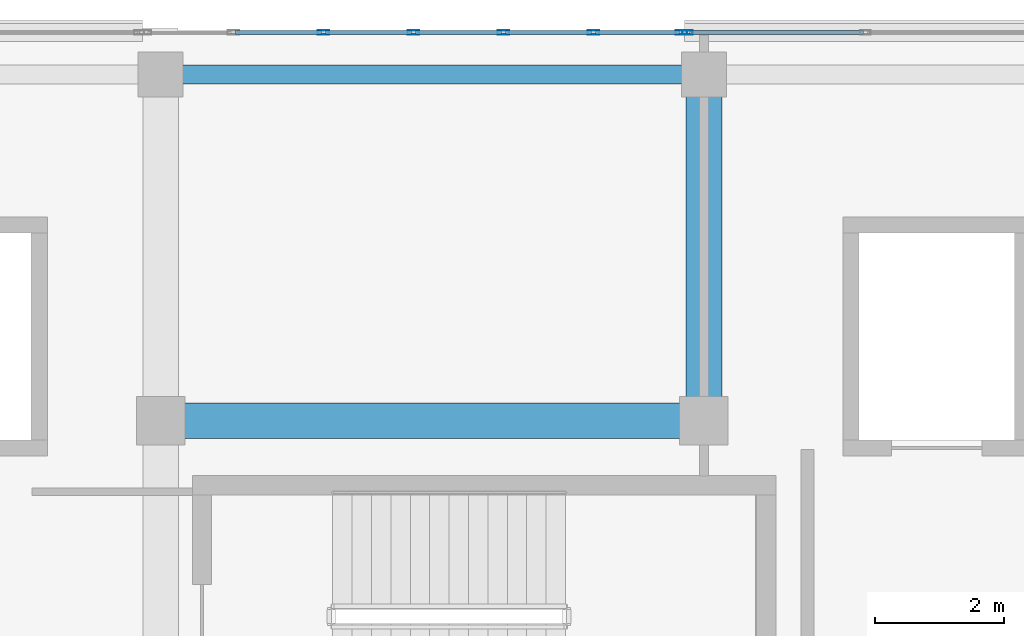
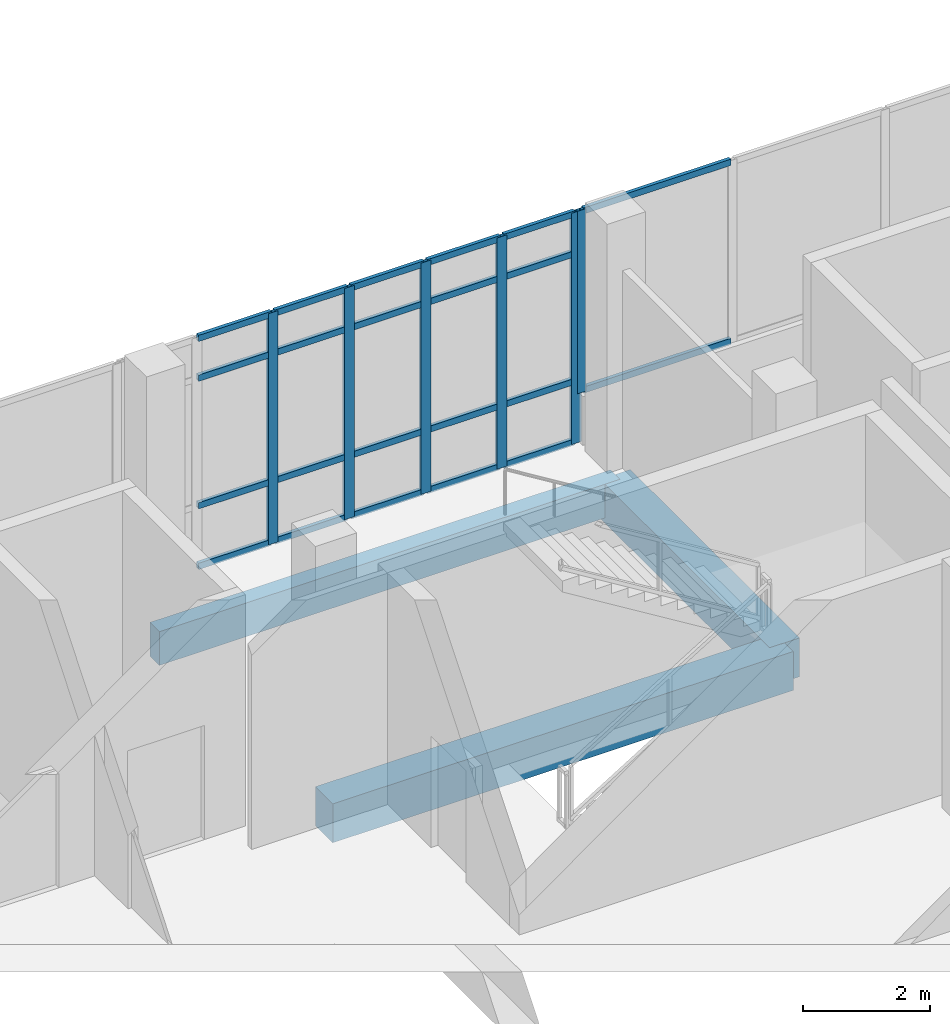
# One storey, part 92 of 155: 28 members, 3 beams, 2 elements without a shape of their own.
"""IFC4 building model written with IfcOpenShell, lengths in metres."""

from ifc_helpers import new_model, si_unit, direction, frame, origin, origin_2d, place, context, subcontext, project, spatial, rectangle, hollow_rectangle, extrude, material, material_profile, profile_set, type_object, element, aggregate, save


model = new_model("IFC4")

# Units and contexts
model_context = context("Model", 3, precision=1e-05, world=origin(), true_north=direction((0.0, 1.0)))
body_context = subcontext(model_context, "Body", "Model", "MODEL_VIEW")
ifc_project = project(units=[si_unit("LENGTHUNIT", "METRE"), si_unit("AREAUNIT", "SQUARE_METRE"), si_unit("VOLUMEUNIT", "CUBIC_METRE"), si_unit("PLANEANGLEUNIT", "RADIAN"), si_unit("MASSUNIT", "GRAM", prefix="KILO")], contexts=[model_context])

# Site, building, storey
site_placement = place(None, origin())
site = spatial("IfcSite", under=ifc_project, at=site_placement, CompositionType="ELEMENT")
building_placement = place(site_placement, origin())
building = spatial("IfcBuilding", under=site, at=building_placement, Name="Selatvlak General Hospital", CompositionType="ELEMENT")
storey_placement = place(building_placement, frame((0.0, 0.0, 10.199951171875)))
storey = spatial("IfcBuildingStorey", under=building, at=storey_placement, Name="L02", CompositionType="ELEMENT", Elevation=10.199951171875)

# Beams
ifc_material_1 = material(Name="Concrete C40/50", Category="concrete")
ifc_material_profile_1 = material_profile(ifc_material_1, rectangle(XDim=0.550048828125, YDim=0.75, at=origin_2d()), Name="RC-BM 550x750")
ifc_profile_set_1 = profile_set([ifc_material_profile_1], Name="Concrete C40/50")
beam_type_1 = type_object("IfcBeamType", Name="BM-G02", PredefinedType="BEAM", material=ifc_profile_set_1)
beam_1_placement = place(storey_placement, frame((132.0, 114.0, -0.72998046875), z_axis=(1.0, 0.0, 0.0), x_axis=(0.0, 1.0, 0.0)))
element("IfcBeam", 1, at=beam_1_placement, inside=storey, type_object=beam_type_1, Name="Beam BMR-L02-0903", PredefinedType="BEAM", context=body_context, shape_type="SweptSolid", body=[
    extrude(rectangle(XDim=0.550048828125, YDim=0.75, at=origin_2d()), origin(), (0.0, 0.0, 1.0), 8.39990234375),
])
beam_2_placement = place(storey_placement, frame((140.39990234375, 114.0, -0.72998046875), z_axis=(0.0, 1.0, 0.0), x_axis=(-1.0, 0.0, 0.0)))
element("IfcBeam", 2, at=beam_2_placement, inside=storey, type_object=beam_type_1, Name="Beam BMR-L02-1035", PredefinedType="BEAM", context=body_context, shape_type="SweptSolid", body=[
    extrude(rectangle(XDim=0.550048828125, YDim=0.75, at=origin_2d()), origin(), (0.0, 0.0, 1.0), 5.35009765625),
])
ifc_material_profile_2 = material_profile(ifc_material_1, rectangle(XDim=0.300048828125, YDim=0.64990234375, at=origin_2d()), Name="RC-SP 300x650")
ifc_profile_set_2 = profile_set([ifc_material_profile_2], Name="Concrete C40/50")
beam_type_2 = type_object("IfcBeamType", Name="BM-SP1", PredefinedType="SPANDREL", material=ifc_profile_set_2)
beam_3_placement = place(storey_placement, frame((132.0, 119.35009765625, -0.679931640625), z_axis=(1.0, 0.0, 0.0), x_axis=(0.0, 1.0, 0.0)))
element("IfcBeam", 3, at=beam_3_placement, inside=storey, type_object=beam_type_2, Name="Beam BMR-L02-0918", PredefinedType="SPANDREL", context=body_context, shape_type="SweptSolid", body=[
    extrude(rectangle(XDim=0.300048828125, YDim=0.64990234375, at=origin_2d()), origin(), (0.0, 0.0, 1.0), 8.39990234375),
])

# Curtain wall, member
ifc_material_2 = material(Name="Solar-control Low-E double glazing", Category="glass")
curtain_wall_type_1 = type_object("IfcCurtainWallType", Name="CW-CW-01", PredefinedType="USERDEFINED", material=ifc_material_2)
curtain_wall_1_placement = place(storey_placement, origin())
curtain_wall_1 = element("IfcCurtainWall", 4, at=curtain_wall_1_placement, inside=storey, type_object=curtain_wall_type_1, Name="Glazed facade curtain wall CW-L02-0258", ObjectType="UNITISED CURTAIN WALL", PredefinedType="USERDEFINED")
ifc_material_3 = material(Name="Dark anodised aluminium mullion", Category="aluminium")
ifc_material_profile_3 = material_profile(ifc_material_3, hollow_rectangle(XDim=0.06494140625, YDim=0.159912109375, WallThickness=0.00390625, at=origin_2d()), Name="AL-MUL 65x160x4")
ifc_profile_set_3 = profile_set([ifc_material_profile_3], Name="Dark anodised aluminium mullion")
member_type_1 = type_object("IfcMemberType", Name="CWM-01", PredefinedType="MULLION", material=ifc_profile_set_3)
member_1_placement = place(storey_placement, frame((140.146484375, 120.0, 0.93994140625), z_axis=(0.0, 0.0, 1.0), x_axis=(0.0, 1.0, 0.0)))
member_1 = element("IfcMember", 5, at=member_1_placement, type_object=member_type_1, Name="CW-01 mullion 1", PredefinedType="MULLION", context=body_context, shape_type="SweptSolid", body=[
    extrude(hollow_rectangle(XDim=0.06494140625, YDim=0.159912109375, WallThickness=0.00390625, at=origin_2d()), origin(), (0.0, 0.0, 1.0), 3.52001953125),
])

# Curtain wall, members
curtain_wall_type_2 = type_object("IfcCurtainWallType", Name="CW-CW-04", PredefinedType="USERDEFINED", material=ifc_material_2)
curtain_wall_2_placement = place(storey_placement, origin())
curtain_wall_2 = element("IfcCurtainWall", 6, at=curtain_wall_2_placement, inside=storey, type_object=curtain_wall_type_2, Name="Glazed facade curtain wall CW-L02-0257", ObjectType="STICK GLAZING WALL", PredefinedType="USERDEFINED")
ifc_material_profile_4 = material_profile(ifc_material_3, hollow_rectangle(XDim=0.06494140625, YDim=0.179931640625, WallThickness=0.00439453125, at=origin_2d()), Name="AL-MUL 65x180x4.5")
ifc_profile_set_4 = profile_set([ifc_material_profile_4], Name="Dark anodised aluminium mullion")
member_type_2 = type_object("IfcMemberType", Name="CWM-02", PredefinedType="MULLION", material=ifc_profile_set_4)
member_2_placement = place(storey_placement, frame((134.517333984375, 120.0, 0.0), z_axis=(0.0, 0.0, 1.0), x_axis=(0.0, 1.0, 0.0)))
member_2 = element("IfcMember", 7, at=member_2_placement, type_object=member_type_2, Name="CW-04 mullion 3", PredefinedType="MULLION", context=body_context, shape_type="SweptSolid", body=[
    extrude(hollow_rectangle(XDim=0.06494140625, YDim=0.179931640625, WallThickness=0.00439453125, at=origin_2d()), origin(), (0.0, 0.0, 1.0), 4.4599609375),
])
member_3_placement = place(storey_placement, frame((135.908935546875, 120.0, 0.0), z_axis=(0.0, 0.0, 1.0), x_axis=(0.0, 1.0, 0.0)))
member_3 = element("IfcMember", 8, at=member_3_placement, type_object=member_type_2, Name="CW-04 mullion 4", PredefinedType="MULLION", context=body_context, shape_type="SweptSolid", body=[
    extrude(hollow_rectangle(XDim=0.06494140625, YDim=0.179931640625, WallThickness=0.00439453125, at=origin_2d()), origin(), (0.0, 0.0, 1.0), 4.4599609375),
])
member_4_placement = place(storey_placement, frame((137.30078125, 120.0, 0.0), z_axis=(0.0, 0.0, 1.0), x_axis=(0.0, 1.0, 0.0)))
member_4 = element("IfcMember", 9, at=member_4_placement, type_object=member_type_2, Name="CW-04 mullion 5", PredefinedType="MULLION", context=body_context, shape_type="SweptSolid", body=[
    extrude(hollow_rectangle(XDim=0.06494140625, YDim=0.179931640625, WallThickness=0.00439453125, at=origin_2d()), origin(), (0.0, 0.0, 1.0), 4.4599609375),
])
member_5_placement = place(storey_placement, frame((138.6923828125, 120.0, 0.0), z_axis=(0.0, 0.0, 1.0), x_axis=(0.0, 1.0, 0.0)))
member_5 = element("IfcMember", 10, at=member_5_placement, type_object=member_type_2, Name="CW-04 mullion 6", PredefinedType="MULLION", context=body_context, shape_type="SweptSolid", body=[
    extrude(hollow_rectangle(XDim=0.06494140625, YDim=0.179931640625, WallThickness=0.00439453125, at=origin_2d()), origin(), (0.0, 0.0, 1.0), 4.4599609375),
])
member_6_placement = place(storey_placement, frame((140.051513671875, 120.0, 0.0), z_axis=(0.0, 0.0, 1.0), x_axis=(0.0, 1.0, 0.0)))
member_6 = element("IfcMember", 11, at=member_6_placement, type_object=member_type_2, Name="CW-04 mullion 7", PredefinedType="MULLION", context=body_context, shape_type="SweptSolid", body=[
    extrude(hollow_rectangle(XDim=0.06494140625, YDim=0.179931640625, WallThickness=0.00439453125, at=origin_2d()), origin(), (0.0, 0.0, 1.0), 4.4599609375),
])
ifc_material_profile_5 = material_profile(ifc_material_3, hollow_rectangle(XDim=0.06494140625, YDim=0.1201171875, WallThickness=0.00390625, at=origin_2d()), Name="AL-TRN 65x120x4")
ifc_profile_set_5 = profile_set([ifc_material_profile_5], Name="Dark anodised aluminium mullion")
member_type_3 = type_object("IfcMemberType", Name="CWT-01", PredefinedType="USERDEFINED", material=ifc_profile_set_5)
member_7_placement = place(storey_placement, frame((133.158203125, 120.0, 0.032470703125), z_axis=(1.0, 0.0, 0.0), x_axis=(0.0, 1.0, 0.0)))
member_7 = element("IfcMember", 12, at=member_7_placement, type_object=member_type_3, Name="CW-04 transom 2.1", ObjectType="TRANSOM", PredefinedType="USERDEFINED", context=body_context, shape_type="SweptSolid", body=[
    extrude(hollow_rectangle(XDim=0.06494140625, YDim=0.1201171875, WallThickness=0.00390625, at=origin_2d()), origin(), (0.0, 0.0, 1.0), 1.32666015625),
])
member_8_placement = place(storey_placement, frame((133.158203125, 120.0, 1.199951171875), z_axis=(1.0, 0.0, 0.0), x_axis=(0.0, 1.0, 0.0)))
member_8 = element("IfcMember", 13, at=member_8_placement, type_object=member_type_3, Name="CW-04 transom 2.2", ObjectType="TRANSOM", PredefinedType="USERDEFINED", context=body_context, shape_type="SweptSolid", body=[
    extrude(hollow_rectangle(XDim=0.06494140625, YDim=0.1201171875, WallThickness=0.00390625, at=origin_2d()), origin(), (0.0, 0.0, 1.0), 1.32666015625),
])
member_9_placement = place(storey_placement, frame((133.158203125, 120.0, 3.66015625), z_axis=(1.0, 0.0, 0.0), x_axis=(0.0, 1.0, 0.0)))
member_9 = element("IfcMember", 14, at=member_9_placement, type_object=member_type_3, Name="CW-04 transom 2.3", ObjectType="TRANSOM", PredefinedType="USERDEFINED", context=body_context, shape_type="SweptSolid", body=[
    extrude(hollow_rectangle(XDim=0.06494140625, YDim=0.1201171875, WallThickness=0.00390625, at=origin_2d()), origin(), (0.0, 0.0, 1.0), 1.32666015625),
])
member_10_placement = place(storey_placement, frame((133.158203125, 120.0, 4.427490234375), z_axis=(1.0, 0.0, 0.0), x_axis=(0.0, 1.0, 0.0)))
member_10 = element("IfcMember", 15, at=member_10_placement, type_object=member_type_3, Name="CW-04 transom 2.4", ObjectType="TRANSOM", PredefinedType="USERDEFINED", context=body_context, shape_type="SweptSolid", body=[
    extrude(hollow_rectangle(XDim=0.06494140625, YDim=0.1201171875, WallThickness=0.00390625, at=origin_2d()), origin(), (0.0, 0.0, 1.0), 1.32666015625),
])
member_11_placement = place(storey_placement, frame((134.5498046875, 120.0, 0.032470703125), z_axis=(1.0, 0.0, 0.0), x_axis=(0.0, 1.0, 0.0)))
member_11 = element("IfcMember", 16, at=member_11_placement, type_object=member_type_3, Name="CW-04 transom 3.1", ObjectType="TRANSOM", PredefinedType="USERDEFINED", context=body_context, shape_type="SweptSolid", body=[
    extrude(hollow_rectangle(XDim=0.06494140625, YDim=0.1201171875, WallThickness=0.00390625, at=origin_2d()), origin(), (0.0, 0.0, 1.0), 1.32666015625),
])
member_12_placement = place(storey_placement, frame((134.5498046875, 120.0, 1.199951171875), z_axis=(1.0, 0.0, 0.0), x_axis=(0.0, 1.0, 0.0)))
member_12 = element("IfcMember", 17, at=member_12_placement, type_object=member_type_3, Name="CW-04 transom 3.2", ObjectType="TRANSOM", PredefinedType="USERDEFINED", context=body_context, shape_type="SweptSolid", body=[
    extrude(hollow_rectangle(XDim=0.06494140625, YDim=0.1201171875, WallThickness=0.00390625, at=origin_2d()), origin(), (0.0, 0.0, 1.0), 1.32666015625),
])
member_13_placement = place(storey_placement, frame((134.5498046875, 120.0, 3.66015625), z_axis=(1.0, 0.0, 0.0), x_axis=(0.0, 1.0, 0.0)))
member_13 = element("IfcMember", 18, at=member_13_placement, type_object=member_type_3, Name="CW-04 transom 3.3", ObjectType="TRANSOM", PredefinedType="USERDEFINED", context=body_context, shape_type="SweptSolid", body=[
    extrude(hollow_rectangle(XDim=0.06494140625, YDim=0.1201171875, WallThickness=0.00390625, at=origin_2d()), origin(), (0.0, 0.0, 1.0), 1.32666015625),
])
member_14_placement = place(storey_placement, frame((134.5498046875, 120.0, 4.427490234375), z_axis=(1.0, 0.0, 0.0), x_axis=(0.0, 1.0, 0.0)))
member_14 = element("IfcMember", 19, at=member_14_placement, type_object=member_type_3, Name="CW-04 transom 3.4", ObjectType="TRANSOM", PredefinedType="USERDEFINED", context=body_context, shape_type="SweptSolid", body=[
    extrude(hollow_rectangle(XDim=0.06494140625, YDim=0.1201171875, WallThickness=0.00390625, at=origin_2d()), origin(), (0.0, 0.0, 1.0), 1.32666015625),
])
member_15_placement = place(storey_placement, frame((135.94140625, 120.0, 0.032470703125), z_axis=(1.0, 0.0, 0.0), x_axis=(0.0, 1.0, 0.0)))
member_15 = element("IfcMember", 20, at=member_15_placement, type_object=member_type_3, Name="CW-04 transom 4.1", ObjectType="TRANSOM", PredefinedType="USERDEFINED", context=body_context, shape_type="SweptSolid", body=[
    extrude(hollow_rectangle(XDim=0.06494140625, YDim=0.1201171875, WallThickness=0.00390625, at=origin_2d()), origin(), (0.0, 0.0, 1.0), 1.32666015625),
])
member_16_placement = place(storey_placement, frame((135.94140625, 120.0, 1.199951171875), z_axis=(1.0, 0.0, 0.0), x_axis=(0.0, 1.0, 0.0)))
member_16 = element("IfcMember", 21, at=member_16_placement, type_object=member_type_3, Name="CW-04 transom 4.2", ObjectType="TRANSOM", PredefinedType="USERDEFINED", context=body_context, shape_type="SweptSolid", body=[
    extrude(hollow_rectangle(XDim=0.06494140625, YDim=0.1201171875, WallThickness=0.00390625, at=origin_2d()), origin(), (0.0, 0.0, 1.0), 1.32666015625),
])
member_17_placement = place(storey_placement, frame((135.94140625, 120.0, 3.66015625), z_axis=(1.0, 0.0, 0.0), x_axis=(0.0, 1.0, 0.0)))
member_17 = element("IfcMember", 22, at=member_17_placement, type_object=member_type_3, Name="CW-04 transom 4.3", ObjectType="TRANSOM", PredefinedType="USERDEFINED", context=body_context, shape_type="SweptSolid", body=[
    extrude(hollow_rectangle(XDim=0.06494140625, YDim=0.1201171875, WallThickness=0.00390625, at=origin_2d()), origin(), (0.0, 0.0, 1.0), 1.32666015625),
])
member_18_placement = place(storey_placement, frame((135.94140625, 120.0, 4.427490234375), z_axis=(1.0, 0.0, 0.0), x_axis=(0.0, 1.0, 0.0)))
member_18 = element("IfcMember", 23, at=member_18_placement, type_object=member_type_3, Name="CW-04 transom 4.4", ObjectType="TRANSOM", PredefinedType="USERDEFINED", context=body_context, shape_type="SweptSolid", body=[
    extrude(hollow_rectangle(XDim=0.06494140625, YDim=0.1201171875, WallThickness=0.00390625, at=origin_2d()), origin(), (0.0, 0.0, 1.0), 1.32666015625),
])
member_19_placement = place(storey_placement, frame((137.333251953125, 120.0, 0.032470703125), z_axis=(1.0, 0.0, 0.0), x_axis=(0.0, 1.0, 0.0)))
member_19 = element("IfcMember", 24, at=member_19_placement, type_object=member_type_3, Name="CW-04 transom 5.1", ObjectType="TRANSOM", PredefinedType="USERDEFINED", context=body_context, shape_type="SweptSolid", body=[
    extrude(hollow_rectangle(XDim=0.06494140625, YDim=0.1201171875, WallThickness=0.00390625, at=origin_2d()), origin(), (0.0, 0.0, 1.0), 1.32666015625),
])
member_20_placement = place(storey_placement, frame((137.333251953125, 120.0, 1.199951171875), z_axis=(1.0, 0.0, 0.0), x_axis=(0.0, 1.0, 0.0)))
member_20 = element("IfcMember", 25, at=member_20_placement, type_object=member_type_3, Name="CW-04 transom 5.2", ObjectType="TRANSOM", PredefinedType="USERDEFINED", context=body_context, shape_type="SweptSolid", body=[
    extrude(hollow_rectangle(XDim=0.06494140625, YDim=0.1201171875, WallThickness=0.00390625, at=origin_2d()), origin(), (0.0, 0.0, 1.0), 1.32666015625),
])
member_21_placement = place(storey_placement, frame((137.333251953125, 120.0, 3.66015625), z_axis=(1.0, 0.0, 0.0), x_axis=(0.0, 1.0, 0.0)))
member_21 = element("IfcMember", 26, at=member_21_placement, type_object=member_type_3, Name="CW-04 transom 5.3", ObjectType="TRANSOM", PredefinedType="USERDEFINED", context=body_context, shape_type="SweptSolid", body=[
    extrude(hollow_rectangle(XDim=0.06494140625, YDim=0.1201171875, WallThickness=0.00390625, at=origin_2d()), origin(), (0.0, 0.0, 1.0), 1.32666015625),
])
member_22_placement = place(storey_placement, frame((137.333251953125, 120.0, 4.427490234375), z_axis=(1.0, 0.0, 0.0), x_axis=(0.0, 1.0, 0.0)))
member_22 = element("IfcMember", 27, at=member_22_placement, type_object=member_type_3, Name="CW-04 transom 5.4", ObjectType="TRANSOM", PredefinedType="USERDEFINED", context=body_context, shape_type="SweptSolid", body=[
    extrude(hollow_rectangle(XDim=0.06494140625, YDim=0.1201171875, WallThickness=0.00390625, at=origin_2d()), origin(), (0.0, 0.0, 1.0), 1.32666015625),
])
member_23_placement = place(storey_placement, frame((138.724853515625, 120.0, 0.032470703125), z_axis=(1.0, 0.0, 0.0), x_axis=(0.0, 1.0, 0.0)))
member_23 = element("IfcMember", 28, at=member_23_placement, type_object=member_type_3, Name="CW-04 transom 6.1", ObjectType="TRANSOM", PredefinedType="USERDEFINED", context=body_context, shape_type="SweptSolid", body=[
    extrude(hollow_rectangle(XDim=0.06494140625, YDim=0.1201171875, WallThickness=0.00390625, at=origin_2d()), origin(), (0.0, 0.0, 1.0), 1.294189453125),
])
member_24_placement = place(storey_placement, frame((138.724853515625, 120.0, 1.199951171875), z_axis=(1.0, 0.0, 0.0), x_axis=(0.0, 1.0, 0.0)))
member_24 = element("IfcMember", 29, at=member_24_placement, type_object=member_type_3, Name="CW-04 transom 6.2", ObjectType="TRANSOM", PredefinedType="USERDEFINED", context=body_context, shape_type="SweptSolid", body=[
    extrude(hollow_rectangle(XDim=0.06494140625, YDim=0.1201171875, WallThickness=0.00390625, at=origin_2d()), origin(), (0.0, 0.0, 1.0), 1.294189453125),
])
member_25_placement = place(storey_placement, frame((138.724853515625, 120.0, 3.66015625), z_axis=(1.0, 0.0, 0.0), x_axis=(0.0, 1.0, 0.0)))
member_25 = element("IfcMember", 30, at=member_25_placement, type_object=member_type_3, Name="CW-04 transom 6.3", ObjectType="TRANSOM", PredefinedType="USERDEFINED", context=body_context, shape_type="SweptSolid", body=[
    extrude(hollow_rectangle(XDim=0.06494140625, YDim=0.1201171875, WallThickness=0.00390625, at=origin_2d()), origin(), (0.0, 0.0, 1.0), 1.294189453125),
])
member_26_placement = place(storey_placement, frame((138.724853515625, 120.0, 4.427490234375), z_axis=(1.0, 0.0, 0.0), x_axis=(0.0, 1.0, 0.0)))
member_26 = element("IfcMember", 31, at=member_26_placement, type_object=member_type_3, Name="CW-04 transom 6.4", ObjectType="TRANSOM", PredefinedType="USERDEFINED", context=body_context, shape_type="SweptSolid", body=[
    extrude(hollow_rectangle(XDim=0.06494140625, YDim=0.1201171875, WallThickness=0.00390625, at=origin_2d()), origin(), (0.0, 0.0, 1.0), 1.294189453125),
])
aggregate(curtain_wall_2, [member_2, member_3, member_4, member_5, member_6, member_7, member_8, member_9, member_10, member_11, member_12, member_13, member_14, member_15, member_16, member_17, member_18, member_19, member_20, member_21, member_22, member_23, member_24, member_25, member_26])

# Member
member_27_placement = place(storey_placement, frame((140.178955078125, 120.0, 0.97265625), z_axis=(1.0, 0.0, 0.0), x_axis=(0.0, 1.0, 0.0)))
member_27 = element("IfcMember", 32, at=member_27_placement, type_object=member_type_3, Name="CW-01 transom 1.1", ObjectType="TRANSOM", PredefinedType="USERDEFINED", context=body_context, shape_type="SweptSolid", body=[
    extrude(hollow_rectangle(XDim=0.06494140625, YDim=0.1201171875, WallThickness=0.00390625, at=origin_2d()), origin(), (0.0, 0.0, 1.0), 2.685791015625),
])

member_28_placement = place(storey_placement, frame((140.178955078125, 120.0, 4.427490234375), z_axis=(1.0, 0.0, 0.0), x_axis=(0.0, 1.0, 0.0)))
member_28 = element("IfcMember", 33, at=member_28_placement, type_object=member_type_3, Name="CW-01 transom 1.2", ObjectType="TRANSOM", PredefinedType="USERDEFINED", context=body_context, shape_type="SweptSolid", body=[
    extrude(hollow_rectangle(XDim=0.06494140625, YDim=0.1201171875, WallThickness=0.00390625, at=origin_2d()), origin(), (0.0, 0.0, 1.0), 2.685791015625),
])

aggregate(curtain_wall_1, [member_1, member_27, member_28])

save(model, "model.ifc")
